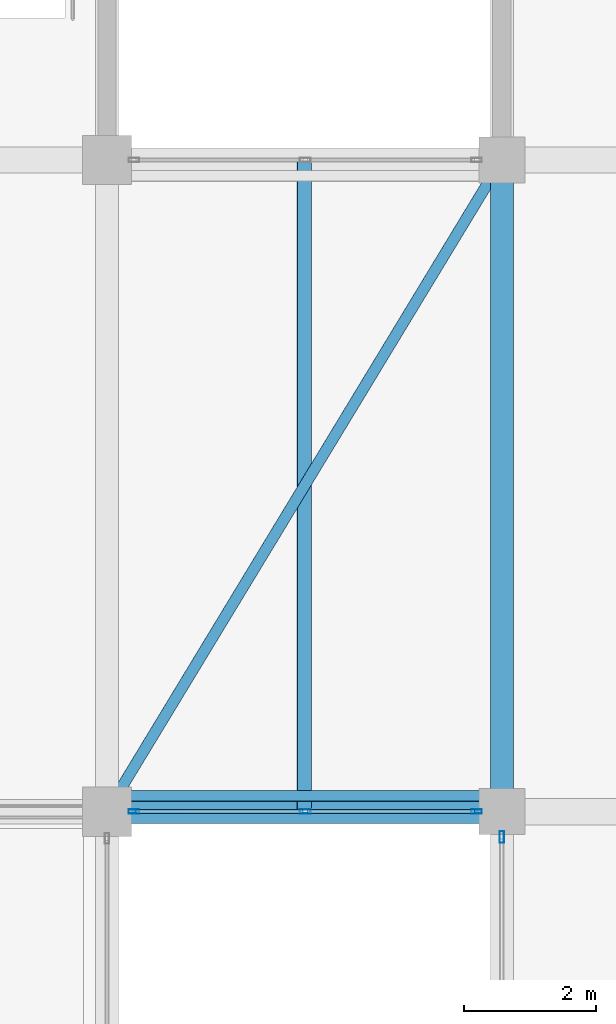
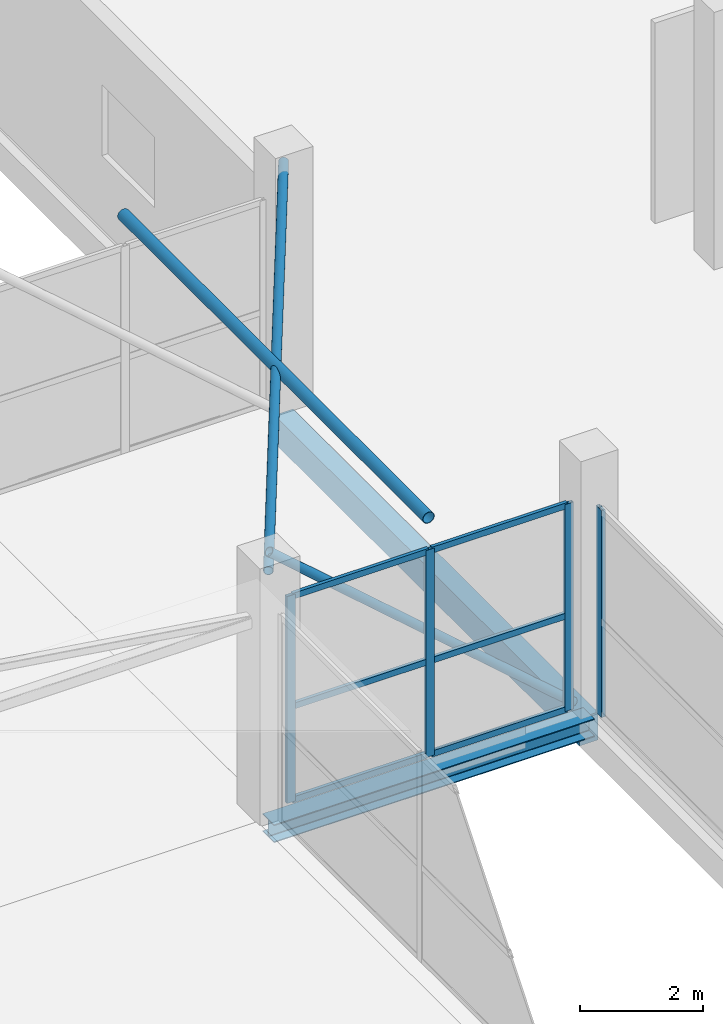
# One storey, part 36 of 67: 13 members, 2 beams, 2 elements without a shape of their own.
"""IFC4 building model written with IfcOpenShell, lengths in metres."""

from ifc_helpers import new_model, si_unit, direction, frame, origin, origin_2d, place, context, subcontext, project, spatial, rectangle, hollow_rectangle, hollow_circle, i_section, extrude, material, layer, layer_set, material_profile, profile_set, type_object, element, aggregate, save


model = new_model("IFC4")

# Units and contexts
model_context = context("Model", 3, precision=1e-05, world=origin(), true_north=direction((0.0, 1.0)))
body_context = subcontext(model_context, "Body", "Model", "MODEL_VIEW")
ifc_project = project(units=[si_unit("LENGTHUNIT", "METRE"), si_unit("AREAUNIT", "SQUARE_METRE"), si_unit("VOLUMEUNIT", "CUBIC_METRE"), si_unit("PLANEANGLEUNIT", "RADIAN"), si_unit("MASSUNIT", "GRAM", prefix="KILO")], contexts=[model_context])

# Site, building, storey
site_placement = place(None, origin())
site = spatial("IfcSite", under=ifc_project, at=site_placement, CompositionType="ELEMENT")
building_placement = place(site_placement, origin())
building = spatial("IfcBuilding", under=site, at=building_placement, Name="Sillaruma Civic Art Gallery", CompositionType="ELEMENT")
storey_placement = place(building_placement, frame((0.0, 0.0, 46.919921875)))
storey = spatial("IfcBuildingStorey", under=building, at=storey_placement, Name="L09", CompositionType="ELEMENT", Elevation=46.919921875)

# Beams
ifc_material_1 = material(Name="Structural Steel ASTM A992 Gr.50", Category="steel")
ifc_material_profile_1 = material_profile(ifc_material_1, i_section(OverallWidth=0.368896484375, OverallDepth=0.35595703125, WebThickness=0.01123046875, FlangeThickness=0.01806640625, FilletRadius=0.014892578125, at=origin_2d()), Name="W360x134")
ifc_profile_set_1 = profile_set([ifc_material_profile_1], Name="Structural Steel ASTM A992 Gr.50")
beam_type_1 = type_object("IfcBeamType", Name="BM-BRIDGE-W360x134", PredefinedType="SPANDREL", material=ifc_profile_set_1)
beam_1_placement = place(storey_placement, frame((92.0, 69.300048828125, -0.387939453125), z_axis=(1.0, 0.0, 0.0), x_axis=(0.0, 1.0, 0.0)))
element("IfcBeam", 1, at=beam_1_placement, inside=storey, type_object=beam_type_1, Name="Sky-Bridge Steel Edge Girder (BRG-N:L09:S)", PredefinedType="SPANDREL", context=body_context, shape_type="SweptSolid", body=[
    extrude(i_section(OverallWidth=0.368896484375, OverallDepth=0.35595703125, WebThickness=0.01123046875, FlangeThickness=0.01806640625, FilletRadius=0.014892578125, at=origin_2d()), origin(), (0.0, 0.0, 1.0), 6.0),
])
ifc_material_2 = material(Name="Concrete H35 (35 MPa)", Category="concrete")
ifc_material_profile_2 = material_profile(ifc_material_2, rectangle(XDim=0.35009765625, YDim=0.550048828125, at=origin_2d()), Name="RCB350x550")
ifc_profile_set_2 = profile_set([ifc_material_profile_2], Name="Concrete H35 (35 MPa)")
beam_type_2 = type_object("IfcBeamType", Name="BM-SPANDREL-RCB350x550", PredefinedType="SPANDREL", material=ifc_profile_set_2)
beam_2_placement = place(storey_placement, frame((98.0, 69.300048828125, -0.52490234375), z_axis=(0.0, 1.0, 0.0), x_axis=(-1.0, 0.0, 0.0)))
element("IfcBeam", 2, at=beam_2_placement, inside=storey, type_object=beam_type_2, Name="Beam BS-04 (L08:L:8-9)", PredefinedType="SPANDREL", context=body_context, shape_type="SweptSolid", body=[
    extrude(rectangle(XDim=0.35009765625, YDim=0.550048828125, at=origin_2d()), origin(), (0.0, 0.0, 1.0), 9.89990234375),
])

# Members
ifc_material_3 = material(Name="Structural Steel ASTM A500 Gr.C", Category="steel")
ifc_material_profile_3 = material_profile(ifc_material_3, hollow_circle(Radius=0.084228515625, WallThickness=0.007080078125, at=origin_2d()), Name="CHS168.3x7.1")
ifc_profile_set_3 = profile_set([ifc_material_profile_3], Name="Structural Steel ASTM A500 Gr.C")
member_type_1 = type_object("IfcMemberType", Name="MEM-BRIDGE-BRACE", PredefinedType="BRACE", material=ifc_profile_set_3)
member_1_placement = place(storey_placement, frame((97.85009765625, 69.5400390625, -0.079833984375), z_axis=(-0.753735417324, 0.0, 0.657177997707), x_axis=(0.0, -1.0, 0.0)))
element("IfcMember", 3, at=member_1_placement, inside=storey, type_object=member_type_1, Name="Sky-Bridge Elevation Truss Web Brace (BRG-N:L09:S)", PredefinedType="BRACE", context=body_context, shape_type="SweptSolid", body=[
    extrude(hollow_circle(Radius=0.084228515625, WallThickness=0.007080078125, at=origin_2d()), origin(), (0.0, 0.0, 1.0), 7.5625),
])
member_2_placement = place(storey_placement, frame((92.0, 69.300048828125, 4.712158203125), z_axis=(0.518305455332, 0.855195565337, 0.0), x_axis=(-0.855195565337, 0.518305455332, 0.0)))
element("IfcMember", 4, at=member_2_placement, inside=storey, type_object=member_type_1, Name="Sky-Bridge Diagonal Plan Brace (BRG-N:L10)", PredefinedType="BRACE", context=body_context, shape_type="SweptSolid", body=[
    extrude(hollow_circle(Radius=0.084228515625, WallThickness=0.007080078125, at=origin_2d()), origin(), (0.0, 0.0, 1.0), 11.576171875),
])
ifc_material_profile_4 = material_profile(ifc_material_3, hollow_circle(Radius=0.109619140625, WallThickness=0.00830078125, at=origin_2d()), Name="CHS219.1x8.2")
ifc_profile_set_4 = profile_set([ifc_material_profile_4], Name="Structural Steel ASTM A500 Gr.C")
member_type_2 = type_object("IfcMemberType", Name="MEM-BRIDGE-STRUT", PredefinedType="STRUT", material=ifc_profile_set_4)
member_3_placement = place(storey_placement, frame((95.0, 69.300048828125, 4.712158203125), z_axis=(0.0, 1.0, 0.0), x_axis=(-1.0, 0.0, 0.0)))
element("IfcMember", 5, at=member_3_placement, inside=storey, type_object=member_type_2, Name="Sky-Bridge Transverse Strut (BRG-N:L10)", PredefinedType="STRUT", context=body_context, shape_type="SweptSolid", body=[
    extrude(hollow_circle(Radius=0.109619140625, WallThickness=0.00830078125, at=origin_2d()), origin(), (0.0, 0.0, 1.0), 9.89990234375),
])

# Curtain wall, members
ifc_material_4 = material(Name="Thermally Broken Extruded Aluminium 6063-T6", Category="aluminium")
ifc_layer_1 = layer(ifc_material_4, 0.159912109375, Name="Thermally Broken Extruded Aluminium 6063-T6")
ifc_layer_set_1 = layer_set([ifc_layer_1], Name="Thermally Broken Extruded Aluminium 6063-T6")
curtain_wall_type_1 = type_object("IfcCurtainWallType", Name="CW-UNI-75", PredefinedType="NOTDEFINED", material=ifc_layer_set_1)
curtain_wall_1_placement = place(storey_placement, origin())
curtain_wall_1 = element("IfcCurtainWall", 6, at=curtain_wall_1_placement, inside=storey, type_object=curtain_wall_type_1, Name="Unitised Curtain Wall CW-75 (CW-BRG-N-L09-S)", PredefinedType="NOTDEFINED")
ifc_material_profile_5 = material_profile(ifc_material_4, hollow_rectangle(XDim=0.06494140625, YDim=0.159912109375, WallThickness=0.00390625, at=origin_2d()), Name="CWM65x160")
ifc_profile_set_5 = profile_set([ifc_material_profile_5], Name="Thermally Broken Extruded Aluminium 6063-T6")
member_type_3 = type_object("IfcMemberType", Name="MEM-MUL-CWM65x160", PredefinedType="MULLION", material=ifc_profile_set_5)
member_4_placement = place(storey_placement, frame((92.407470703125, 69.300048828125, 0.0), z_axis=(0.0, 0.0, 1.0), x_axis=(0.0, 1.0, 0.0)))
member_4 = element("IfcMember", 7, at=member_4_placement, type_object=member_type_3, Name="CW-75 mullion 1", PredefinedType="MULLION", context=body_context, shape_type="SweptSolid", body=[
    extrude(hollow_rectangle(XDim=0.06494140625, YDim=0.159912109375, WallThickness=0.00390625, at=origin_2d()), origin(), (0.0, 0.0, 1.0), 4.10009765625),
])
member_5_placement = place(storey_placement, frame((95.012451171875, 69.300048828125, 0.0), z_axis=(0.0, 0.0, 1.0), x_axis=(0.0, 1.0, 0.0)))
member_5 = element("IfcMember", 8, at=member_5_placement, type_object=member_type_3, Name="CW-75 mullion 2", PredefinedType="MULLION", context=body_context, shape_type="SweptSolid", body=[
    extrude(hollow_rectangle(XDim=0.06494140625, YDim=0.159912109375, WallThickness=0.00390625, at=origin_2d()), origin(), (0.0, 0.0, 1.0), 4.10009765625),
])
member_6_placement = place(storey_placement, frame((97.617431640625, 69.300048828125, 0.0), z_axis=(0.0, 0.0, 1.0), x_axis=(0.0, 1.0, 0.0)))
member_6 = element("IfcMember", 9, at=member_6_placement, type_object=member_type_3, Name="CW-75 mullion 3", PredefinedType="MULLION", context=body_context, shape_type="SweptSolid", body=[
    extrude(hollow_rectangle(XDim=0.06494140625, YDim=0.159912109375, WallThickness=0.00390625, at=origin_2d()), origin(), (0.0, 0.0, 1.0), 4.10009765625),
])

# Curtain wall, member
ifc_layer_2 = layer(ifc_material_4, 0.179931640625, Name="Thermally Broken Extruded Aluminium 6063-T6")
ifc_layer_set_2 = layer_set([ifc_layer_2], Name="Thermally Broken Extruded Aluminium 6063-T6")
curtain_wall_type_2 = type_object("IfcCurtainWallType", Name="CW-UNI-66", PredefinedType="NOTDEFINED", material=ifc_layer_set_2)
curtain_wall_2_placement = place(storey_placement, origin())
curtain_wall_2 = element("IfcCurtainWall", 10, at=curtain_wall_2_placement, inside=storey, type_object=curtain_wall_type_2, Name="Unitised Curtain Wall CW-66 (CW-L09-EBW-5)", PredefinedType="NOTDEFINED")
ifc_material_profile_6 = material_profile(ifc_material_4, hollow_rectangle(XDim=0.070068359375, YDim=0.179931640625, WallThickness=0.00390625, at=origin_2d()), Name="CWM70x180")
ifc_profile_set_6 = profile_set([ifc_material_profile_6], Name="Thermally Broken Extruded Aluminium 6063-T6")
member_type_4 = type_object("IfcMemberType", Name="MEM-MUL-CWM70x180", PredefinedType="MULLION", material=ifc_profile_set_6)
member_7_placement = place(storey_placement, frame((98.0, 68.9150390625, 0.0), z_axis=(0.0, 0.0, 1.0), x_axis=(-1.0, 0.0, 0.0)))
member_7 = element("IfcMember", 11, at=member_7_placement, type_object=member_type_4, Name="CW-66 mullion 3", PredefinedType="MULLION", context=body_context, shape_type="SweptSolid", body=[
    extrude(hollow_rectangle(XDim=0.070068359375, YDim=0.179931640625, WallThickness=0.00390625, at=origin_2d()), origin(), (0.0, 0.0, 1.0), 4.10009765625),
])
aggregate(curtain_wall_2, [member_7])

# Member
ifc_material_profile_7 = material_profile(ifc_material_4, hollow_rectangle(XDim=0.06494140625, YDim=0.1201171875, WallThickness=0.00341796875, at=origin_2d()), Name="CWT65x120")
ifc_profile_set_7 = profile_set([ifc_material_profile_7], Name="Thermally Broken Extruded Aluminium 6063-T6")
member_type_5 = type_object("IfcMemberType", Name="MEM-TRN-CWT65x120", PredefinedType="USERDEFINED", material=ifc_profile_set_7)
member_8_placement = place(storey_placement, frame((92.43994140625, 69.300048828125, 0.032470703125), z_axis=(1.0, 0.0, 0.0), x_axis=(0.0, 1.0, 0.0)))
member_8 = element("IfcMember", 12, at=member_8_placement, type_object=member_type_5, Name="CW-75 transom 1.1", ObjectType="TRANSOM", PredefinedType="USERDEFINED", context=body_context, shape_type="SweptSolid", body=[
    extrude(hollow_rectangle(XDim=0.06494140625, YDim=0.1201171875, WallThickness=0.00341796875, at=origin_2d()), origin(), (0.0, 0.0, 1.0), 2.5400390625),
])

member_9_placement = place(storey_placement, frame((92.43994140625, 69.300048828125, 1.885986328125), z_axis=(1.0, 0.0, 0.0), x_axis=(0.0, 1.0, 0.0)))
member_9 = element("IfcMember", 13, at=member_9_placement, type_object=member_type_5, Name="CW-75 transom 1.2", ObjectType="TRANSOM", PredefinedType="USERDEFINED", context=body_context, shape_type="SweptSolid", body=[
    extrude(hollow_rectangle(XDim=0.06494140625, YDim=0.1201171875, WallThickness=0.00341796875, at=origin_2d()), origin(), (0.0, 0.0, 1.0), 2.5400390625),
])

member_10_placement = place(storey_placement, frame((92.43994140625, 69.300048828125, 4.067626953125), z_axis=(1.0, 0.0, 0.0), x_axis=(0.0, 1.0, 0.0)))
member_10 = element("IfcMember", 14, at=member_10_placement, type_object=member_type_5, Name="CW-75 transom 1.3", ObjectType="TRANSOM", PredefinedType="USERDEFINED", context=body_context, shape_type="SweptSolid", body=[
    extrude(hollow_rectangle(XDim=0.06494140625, YDim=0.1201171875, WallThickness=0.00341796875, at=origin_2d()), origin(), (0.0, 0.0, 1.0), 2.5400390625),
])

member_11_placement = place(storey_placement, frame((95.044921875, 69.300048828125, 0.032470703125), z_axis=(1.0, 0.0, 0.0), x_axis=(0.0, 1.0, 0.0)))
member_11 = element("IfcMember", 15, at=member_11_placement, type_object=member_type_5, Name="CW-75 transom 2.1", ObjectType="TRANSOM", PredefinedType="USERDEFINED", context=body_context, shape_type="SweptSolid", body=[
    extrude(hollow_rectangle(XDim=0.06494140625, YDim=0.1201171875, WallThickness=0.00341796875, at=origin_2d()), origin(), (0.0, 0.0, 1.0), 2.5400390625),
])

member_12_placement = place(storey_placement, frame((95.044921875, 69.300048828125, 1.885986328125), z_axis=(1.0, 0.0, 0.0), x_axis=(0.0, 1.0, 0.0)))
member_12 = element("IfcMember", 16, at=member_12_placement, type_object=member_type_5, Name="CW-75 transom 2.2", ObjectType="TRANSOM", PredefinedType="USERDEFINED", context=body_context, shape_type="SweptSolid", body=[
    extrude(hollow_rectangle(XDim=0.06494140625, YDim=0.1201171875, WallThickness=0.00341796875, at=origin_2d()), origin(), (0.0, 0.0, 1.0), 2.5400390625),
])

member_13_placement = place(storey_placement, frame((95.044921875, 69.300048828125, 4.067626953125), z_axis=(1.0, 0.0, 0.0), x_axis=(0.0, 1.0, 0.0)))
member_13 = element("IfcMember", 17, at=member_13_placement, type_object=member_type_5, Name="CW-75 transom 2.3", ObjectType="TRANSOM", PredefinedType="USERDEFINED", context=body_context, shape_type="SweptSolid", body=[
    extrude(hollow_rectangle(XDim=0.06494140625, YDim=0.1201171875, WallThickness=0.00341796875, at=origin_2d()), origin(), (0.0, 0.0, 1.0), 2.5400390625),
])

aggregate(curtain_wall_1, [member_4, member_5, member_6, member_8, member_9, member_10, member_11, member_12, member_13])

save(model, "model.ifc")
